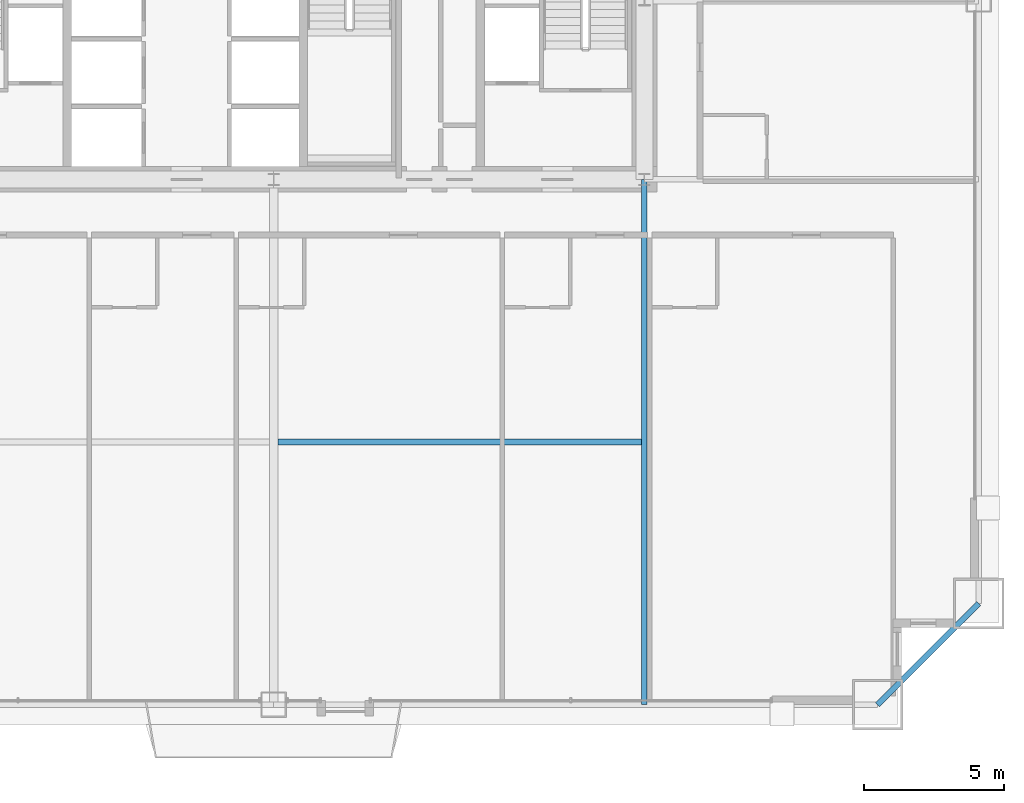
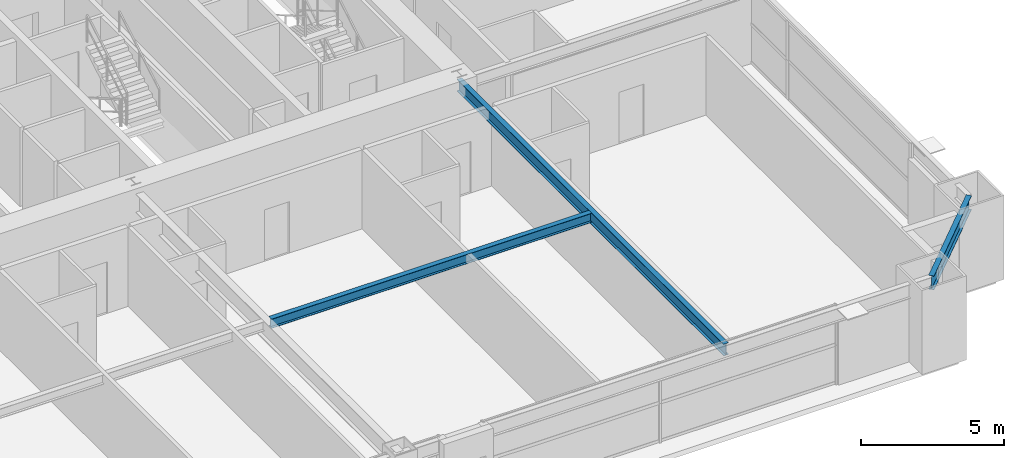
# One storey, part 18 of 46: 3 beams.
"""IFC4 building model written with IfcOpenShell, lengths in metres."""

import ifcopenshell
import ifcopenshell.guid

model = None  # the IFC model being written
_history = None  # IfcOwnerHistory: only IFC2X3 demands one
_inside = {}  # id of a spatial element -> (the spatial element, [elements in it])
_under = {}  # id of a project, library or spatial element -> (it, [spatial elements below it])
_declared = {}  # id of a project -> (the project, [libraries it declares])
_typed = {}  # id of a type object -> (the type object, [elements of that type])
_made_of = {}  # id of a material, layer set ... -> (it, [elements and type objects made of it])


def new_model(schema):
    """Start an empty IFC model of exactly this schema.

    Asked for "IFC4X3", IfcOpenShell would pick the latest addendum, in which some entities
    have other attributes; the version numbers below select the first issue.
    IFC2X3 requires an IfcOwnerHistory on every rooted entity: one is made here for all.
    """
    global model, _history
    if schema == "IFC4X3":
        model = ifcopenshell.file(schema_version=(4, 3, 0, 0))
    else:
        model = ifcopenshell.file(schema=schema)
    _inside.clear()
    _under.clear()
    _declared.clear()
    _typed.clear()
    _made_of.clear()
    _history = None
    if model.schema == "IFC2X3":
        org = make("IfcOrganization", Name="unknown")
        user = make(
            "IfcPersonAndOrganization",
            ThePerson=make("IfcPerson", FamilyName="unknown"),
            TheOrganization=org,
        )
        app = make(
            "IfcApplication",
            ApplicationDeveloper=org,
            Version="unknown",
            ApplicationFullName="unknown",
            ApplicationIdentifier="unknown",
        )
        _history = make(
            "IfcOwnerHistory",
            OwningUser=user,
            OwningApplication=app,
            ChangeAction="ADDED",
            CreationDate=0,
        )
    return model


def make(cls, **values):
    """One entity of the class cls with the attributes given. An attribute that is None is left unset."""
    return model.create_entity(
        cls, **{name: value for name, value in values.items() if value is not None}
    )


def rooted(cls, **values):
    """An entity with a GlobalId (a new one), such as an element, a storey or a relation."""
    return make(cls, GlobalId=ifcopenshell.guid.new(), OwnerHistory=_history, **values)


def si_unit(unit_type, name, prefix=None):
    """IfcSIUnit, for example si_unit("LENGTHUNIT", "METRE", prefix="MILLI")."""
    return make("IfcSIUnit", UnitType=unit_type, Prefix=prefix, Name=name)


def assignment(units):
    """IfcUnitAssignment: the units of a project."""
    return None if units is None else make("IfcUnitAssignment", Units=units)


def point(xyz):
    """IfcCartesianPoint."""
    return None if xyz is None else make("IfcCartesianPoint", Coordinates=xyz)


def direction(xyz):
    """IfcDirection."""
    return None if xyz is None else make("IfcDirection", DirectionRatios=xyz)


def frame(location, z_axis=None, x_axis=None):
    """IfcAxis2Placement3D, a coordinate frame: its origin and axes. An axis left out is left unset."""
    return make(
        "IfcAxis2Placement3D",
        Location=point(location),
        Axis=direction(z_axis),
        RefDirection=direction(x_axis),
    )


def frame_2d(location, x_axis=None):
    """IfcAxis2Placement2D, a coordinate frame in the plane: its origin and x axis."""
    return make(
        "IfcAxis2Placement2D", Location=point(location), RefDirection=direction(x_axis)
    )


def origin():
    """The frame at (0, 0, 0) with its axes left unset."""
    return frame((0.0, 0.0, 0.0))


def origin_2d():
    """The frame at (0, 0) in the plane with its x axis left unset."""
    return frame_2d((0.0, 0.0))


def place(relative_to, where):
    """IfcLocalPlacement: puts the frame where relative to a parent placement (None: the world)."""
    return make(
        "IfcLocalPlacement", PlacementRelTo=relative_to, RelativePlacement=where
    )


def context(
    kind, dimensions, precision=None, world=None, true_north=None, identifier=None
):
    """IfcGeometricRepresentationContext, for example the 3D "Model" context."""
    return make(
        "IfcGeometricRepresentationContext",
        ContextIdentifier=identifier,
        ContextType=kind,
        CoordinateSpaceDimension=dimensions,
        Precision=precision,
        WorldCoordinateSystem=world,
        TrueNorth=true_north,
    )


def subcontext(parent, identifier, kind, view, scale=None):
    """IfcGeometricRepresentationSubContext, for example "Body" below "Model"."""
    return make(
        "IfcGeometricRepresentationSubContext",
        ContextIdentifier=identifier,
        ContextType=kind,
        ParentContext=parent,
        TargetScale=scale,
        TargetView=view,
    )


def project(units=None, contexts=None):
    """IfcProject with its units and contexts."""
    return rooted(
        "IfcProject",
        Name="project",
        RepresentationContexts=contexts,
        UnitsInContext=assignment(units),
    )


def spatial(cls, under=None, at=None, **own):
    """A site, building, storey or space (cls), placed at a placement, below another one or the project."""
    s = rooted(cls, ObjectPlacement=at, **own)
    if under is not None:
        _under.setdefault(under.id(), (under, []))[1].append(s)
    return s


def profile(cls, at=None, kind="AREA", **sizes):
    """A parametric profile (cls). Its sizes go by their IFC names, for example OverallWidth=200.0."""
    return make(cls, ProfileType=kind, Position=at, **sizes)


def i_section(**sizes):
    """IfcIShapeProfileDef."""
    return profile("IfcIShapeProfileDef", **sizes)


def extrude(swept, where, along, depth):
    """IfcExtrudedAreaSolid: the profile swept, set in the frame where, extruded along a direction by depth."""
    return make(
        "IfcExtrudedAreaSolid",
        SweptArea=swept,
        Position=where,
        ExtrudedDirection=direction(along),
        Depth=depth,
    )


def shape(context_of_items, identifier, shape_type, items):
    """IfcShapeRepresentation: the items that make up one representation, for example the "Body"."""
    return make(
        "IfcShapeRepresentation",
        ContextOfItems=context_of_items,
        RepresentationIdentifier=identifier,
        RepresentationType=shape_type,
        Items=items,
    )


def source(mapping_origin, context_of_items, identifier, shape_type, items):
    """IfcRepresentationMap: a shape defined once, which mapped items show again and again."""
    return make(
        "IfcRepresentationMap",
        MappingOrigin=mapping_origin,
        MappedRepresentation=shape(context_of_items, identifier, shape_type, items),
    )


def transform(
    local_origin,
    x_axis=None,
    y_axis=None,
    z_axis=None,
    scale=None,
    scale2=None,
    scale3=None,
    uniform=True,
):
    """IfcCartesianTransformationOperator3D, or its non-uniform kind. x_axis, y_axis, z_axis: its Axis1, 2, 3."""
    if uniform:
        return make(
            "IfcCartesianTransformationOperator3D",
            Axis1=direction(x_axis),
            Axis2=direction(y_axis),
            LocalOrigin=point(local_origin),
            Scale=scale,
            Axis3=direction(z_axis),
        )
    return make(
        "IfcCartesianTransformationOperator3DnonUniform",
        Axis1=direction(x_axis),
        Axis2=direction(y_axis),
        LocalOrigin=point(local_origin),
        Scale=scale,
        Axis3=direction(z_axis),
        Scale2=scale2,
        Scale3=scale3,
    )


def mapped(mapping_source, mapping_target):
    """IfcMappedItem: shows the shape of a source again, moved by a transform."""
    return make(
        "IfcMappedItem", MappingSource=mapping_source, MappingTarget=mapping_target
    )


def material(Name=None, Category=None):
    """IfcMaterial."""
    return make("IfcMaterial", Name=Name, Category=Category)


def material_profile(
    of_material, cross_section, Name=None, Category=None, Priority=None
):
    """IfcMaterialProfile: a cross section and its material."""
    return make(
        "IfcMaterialProfile",
        Name=Name,
        Material=of_material,
        Profile=cross_section,
        Priority=Priority,
        Category=Category,
    )


def profile_set(profiles, Name=None, composite=None):
    """IfcMaterialProfileSet."""
    return make(
        "IfcMaterialProfileSet",
        Name=Name,
        MaterialProfiles=profiles,
        CompositeProfile=composite,
    )


def made_of(thing, what):
    """Note that an element or type object is made of a material, layer set ...; save() writes the relation."""
    if what is not None:
        _made_of.setdefault(what.id(), (what, []))[1].append(thing)
    return thing


def type_object(cls, material=None, **own):
    """A type object (cls), such as IfcWallType, which elements share."""
    return made_of(rooted(cls, **own), material)


def element(
    cls,
    number,
    at=None,
    inside=None,
    cuts=None,
    type_object=None,
    material=None,
    context=None,
    identifier="Body",
    shape_type=None,
    held_by="IfcProductDefinitionShape",
    body=None,
    shapes=None,
    **own,
):
    """One element of the class cls, such as IfcWall. Its Tag is "e" and its number.

    at: its placement. inside: the storey or other place that contains it. cuts: it is an
    opening in that element (IfcRelVoidsElement). A single representation is given by context,
    identifier, shape_type and body (its items); several are given by shapes. held_by: the class
    of the entity that holds the representations. save() writes the other relations.
    """
    e = rooted(cls, Tag="e%d" % number, ObjectPlacement=at, **own)
    if body is not None:
        shapes = [shape(context, identifier, shape_type, body)]
    if shapes is not None:
        e.Representation = make(held_by, Representations=shapes)
    if inside is not None:
        _inside.setdefault(inside.id(), (inside, []))[1].append(e)
    if cuts is not None:
        rooted(
            "IfcRelVoidsElement", RelatingBuildingElement=cuts, RelatedOpeningElement=e
        )
    if type_object is not None:
        _typed.setdefault(type_object.id(), (type_object, []))[1].append(e)
    return made_of(e, material)


def aggregate(whole, parts):
    """IfcRelAggregates: a whole, such as a stair, and the parts it consists of."""
    return rooted("IfcRelAggregates", RelatingObject=whole, RelatedObjects=parts)


def save(model, path):
    """Write the relations noted so far, then the file.

    IfcRelAggregates (storeys below a building ...), IfcRelContainedInSpatialStructure (elements
    in a storey), IfcRelDefinesByType, IfcRelAssociatesMaterial and IfcRelDeclares: one each for
    every whole, place, type object, material and project.
    """
    for whole, parts in _under.values():
        aggregate(whole, parts)
    for where, things in _inside.values():
        rooted(
            "IfcRelContainedInSpatialStructure",
            RelatedElements=things,
            RelatingStructure=where,
        )
    for kind, things in _typed.values():
        rooted("IfcRelDefinesByType", RelatedObjects=things, RelatingType=kind)
    for what, things in _made_of.values():
        rooted("IfcRelAssociatesMaterial", RelatedObjects=things, RelatingMaterial=what)
    for by, libraries in _declared.values():
        rooted("IfcRelDeclares", RelatingContext=by, RelatedDefinitions=libraries)
    model.write(path)


model = new_model("IFC4")

# Units and contexts
model_context = context("Model", 3, precision=1e-05, world=origin(), true_north=direction((0.0, 1.0)))
body_context = subcontext(model_context, "Body", "Model", "MODEL_VIEW")
ifc_project = project(units=[si_unit("LENGTHUNIT", "METRE"), si_unit("AREAUNIT", "SQUARE_METRE"), si_unit("VOLUMEUNIT", "CUBIC_METRE"), si_unit("PLANEANGLEUNIT", "RADIAN"), si_unit("MASSUNIT", "GRAM", prefix="KILO"), si_unit("THERMODYNAMICTEMPERATUREUNIT", "KELVIN"), si_unit("POWERUNIT", "WATT")], contexts=[model_context])

# Site, building, storey
site_placement = place(None, origin())
site = spatial("IfcSite", under=ifc_project, at=site_placement, CompositionType="ELEMENT")
building_placement = place(site_placement, origin())
building = spatial("IfcBuilding", under=site, at=building_placement, Name="Yuzanri Waterfront Tower", CompositionType="ELEMENT")
storey_placement = place(building_placement, frame((0.0, 0.0, 56.800048828125)))
storey = spatial("IfcBuildingStorey", under=building, at=storey_placement, Name="L14", CompositionType="ELEMENT", Elevation=56.800048828125)

# Beams
ifc_material_1 = material(Name="Steel Q355B", Category="steel")
ifc_material_profile_1 = material_profile(ifc_material_1, i_section(OverallWidth=0.199951171875, OverallDepth=0.60009765625, WebThickness=0.010986328125, FlangeThickness=0.01708984375, at=origin_2d()), Name="HN 600x200x11x17")
ifc_profile_set_1 = profile_set([ifc_material_profile_1], Name="Steel Q355B")
beam_type_1 = type_object("IfcBeamType", Name="Perimeter Spandrel Q355B HN 600x200", PredefinedType="SPANDREL", material=ifc_profile_set_1)
shared_shape_1 = source(origin(), body_context, "Body", "SweptSolid", [
    extrude(i_section(OverallWidth=0.199951171875, OverallDepth=0.60009765625, WebThickness=0.010986328125, FlangeThickness=0.01708984375, at=origin_2d()), origin(), (0.0, 0.0, 1.0), 5.09130859375),
])
beam_1_placement = place(storey_placement, frame((58.5, 0.699951171875, 3.079833984375), z_axis=(0.707106781187, 0.707106781187, 0.0), x_axis=(-0.707106781187, 0.707106781187, 0.0)))
element("IfcBeam", 1, at=beam_1_placement, inside=storey, type_object=beam_type_1, Name="L14 Perimeter Spandrel S3-E1", PredefinedType="SPANDREL", context=body_context, shape_type="MappedRepresentation", body=[
    mapped(shared_shape_1, transform((0.0, 0.0, 0.0), scale=1.0)),
])
ifc_material_2 = material(Name="Steel Q355B", Category="steel")
ifc_material_profile_2 = material_profile(ifc_material_2, i_section(OverallWidth=0.199951171875, OverallDepth=0.5, WebThickness=0.010009765625, FlangeThickness=0.01611328125, at=origin_2d()), Name="HN 500x200x10x16")
ifc_profile_set_2 = profile_set([ifc_material_profile_2], Name="Steel Q355B")
beam_type_2 = type_object("IfcBeamType", Name="Secondary Floor Beam Q355B HN 500x200", PredefinedType="BEAM", material=ifc_profile_set_2)
shared_shape_2 = source(origin(), body_context, "Body", "SweptSolid", [
    extrude(i_section(OverallWidth=0.199951171875, OverallDepth=0.5, WebThickness=0.010009765625, FlangeThickness=0.01611328125, at=origin_2d()), origin(), (0.0, 0.0, 1.0), 18.699951171875),
])
beam_2_placement = place(storey_placement, frame((50.199951171875, 19.39990234375, 3.1298828125), z_axis=(0.0, -1.0, 0.0), x_axis=(1.0, 0.0, 0.0)))
element("IfcBeam", 2, at=beam_2_placement, inside=storey, type_object=beam_type_2, Name="L14 South-East Core Line Beam", PredefinedType="BEAM", context=body_context, shape_type="MappedRepresentation", body=[
    mapped(shared_shape_2, transform((0.0, 0.0, 0.0), scale=1.0)),
])
ifc_material_3 = material(Name="Steel Q355B", Category="steel")
ifc_material_profile_3 = material_profile(ifc_material_3, i_section(OverallWidth=0.199951171875, OverallDepth=0.39990234375, WebThickness=0.008056640625, FlangeThickness=0.012939453125, at=origin_2d()), Name="HN 400x200x8x13")
ifc_profile_set_3 = profile_set([ifc_material_profile_3], Name="Steel Q355B")
beam_type_3 = type_object("IfcBeamType", Name="Floor Joist Q355B HN 400x200", PredefinedType="JOIST", material=ifc_profile_set_3)
shared_shape_3 = source(origin(), body_context, "Body", "SweptSolid", [
    extrude(i_section(OverallWidth=0.199951171875, OverallDepth=0.39990234375, WebThickness=0.008056640625, FlangeThickness=0.012939453125, at=origin_2d()), origin(), (0.0, 0.0, 1.0), 12.9501953125),
])
beam_3_placement = place(storey_placement, frame((37.14990234375, 10.050048828125, 3.179931640625), z_axis=(1.0, 0.0, 0.0), x_axis=(0.0, 1.0, 0.0)))
element("IfcBeam", 3, at=beam_3_placement, inside=storey, type_object=beam_type_3, Name="L14 South Bay Joist E", PredefinedType="JOIST", context=body_context, shape_type="MappedRepresentation", body=[
    mapped(shared_shape_3, transform((0.0, 0.0, 0.0), scale=1.0)),
])

save(model, "model.ifc")
